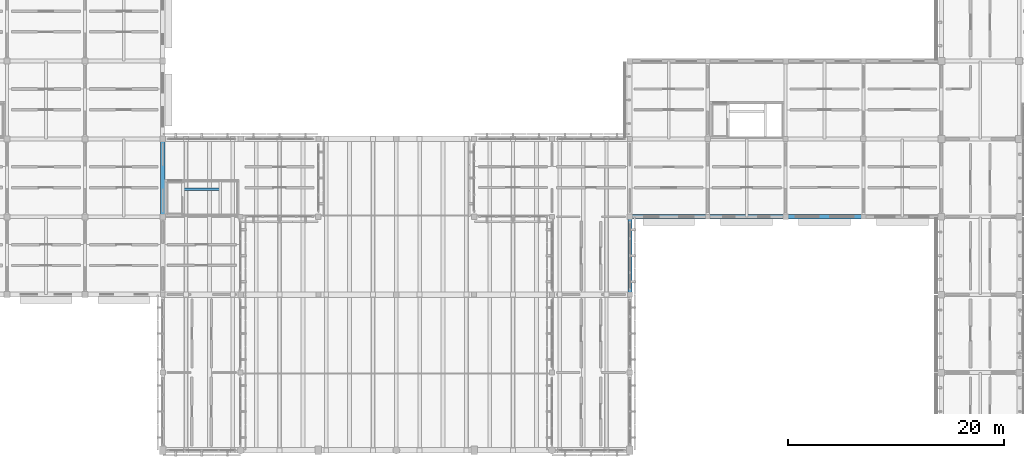
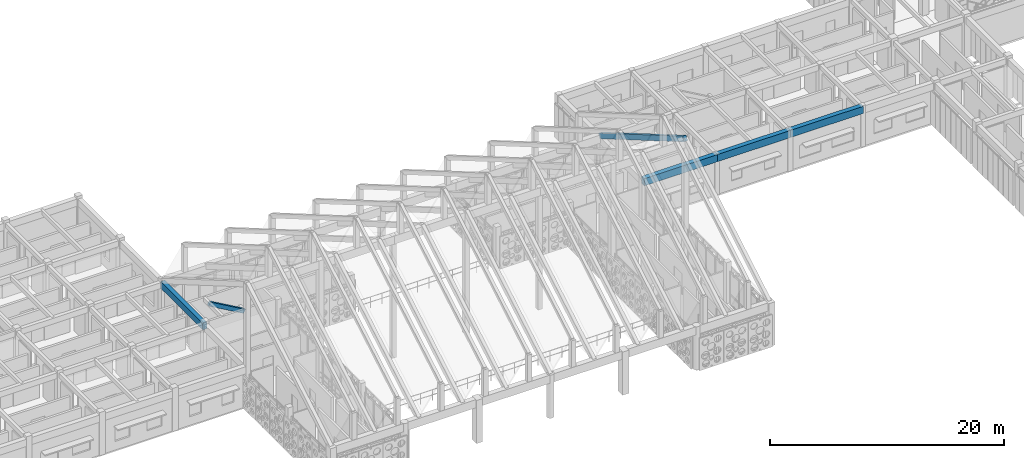
# One storey, part 56 of 171: 6 beams.
"""IFC4 building model written with IfcOpenShell, lengths in metres."""

from ifc_helpers import new_model, si_unit, direction, frame, origin, origin_2d, place, context, subcontext, project, spatial, rectangle, extrude, material, material_profile, profile_set, type_object, element, save


model = new_model("IFC4")

# Units and contexts
model_context = context("Model", 3, precision=1e-05, world=origin(), true_north=direction((0.0, 1.0)))
body_context = subcontext(model_context, "Body", "Model", "MODEL_VIEW")
ifc_project = project(units=[si_unit("LENGTHUNIT", "METRE"), si_unit("AREAUNIT", "SQUARE_METRE"), si_unit("VOLUMEUNIT", "CUBIC_METRE"), si_unit("PLANEANGLEUNIT", "RADIAN"), si_unit("MASSUNIT", "GRAM", prefix="KILO")], contexts=[model_context])

# Site, building, storey
site_placement = place(None, origin())
site = spatial("IfcSite", under=ifc_project, at=site_placement, CompositionType="ELEMENT")
building_placement = place(site_placement, origin())
building = spatial("IfcBuilding", under=site, at=building_placement, Name="Aldebral Square Health Centre", CompositionType="ELEMENT")
storey_placement = place(building_placement, frame((0.0, 0.0, 4.5)))
storey = spatial("IfcBuildingStorey", under=building, at=storey_placement, Name="L01", CompositionType="ELEMENT", Elevation=4.5)

# Beams
ifc_material = material(Name="Concrete C40/50", Category="concrete")
ifc_material_profile_1 = material_profile(ifc_material, rectangle(XDim=0.25, YDim=0.39990234375, at=origin_2d()), Name="RC 250x400")
ifc_profile_set_1 = profile_set([ifc_material_profile_1], Name="Concrete C40/50")
beam_type_1 = type_object("IfcBeamType", Name="BM-B6", PredefinedType="JOIST", material=ifc_profile_set_1)
beam_1_placement = place(storey_placement, frame((70.1201171875, 96.139892578125, 2.050048828125), z_axis=(-0.867791792995, 0.0, 0.496927966622), x_axis=(0.0, -1.0, 0.0)))
element("IfcBeam", 1, at=beam_1_placement, inside=storey, type_object=beam_type_1, Name="L01 WS-S7 flight stringer beam", PredefinedType="JOIST", context=body_context, shape_type="SweptSolid", body=[
    extrude(rectangle(XDim=0.25, YDim=0.39990234375, at=origin_2d()), origin(), (0.0, 0.0, 1.0), 3.96435546875),
])
ifc_material_profile_2 = material_profile(ifc_material, rectangle(XDim=0.449951171875, YDim=0.75, at=origin_2d()), Name="RC 450x750")
ifc_profile_set_2 = profile_set([ifc_material_profile_2], Name="Concrete C40/50")
beam_type_2 = type_object("IfcBeamType", Name="BM-G2", PredefinedType="T_BEAM", material=ifc_profile_set_2)
for number, where, z_axis, x_axis, name in (
    (2, (108.0, 93.60009765625, 3.844970703125), (1.0, 0.0, 0.0), (0.0, 1.0, 0.0), "L01 X-beam 16-17/G14"),
    (3, (115.199951171875, 93.60009765625, 3.844970703125), (1.0, 0.0, 0.0), (0.0, 1.0, 0.0), "L01 X-beam 17-18/G14"),
):
    element("IfcBeam", number, at=place(storey_placement, frame(where, z_axis=z_axis, x_axis=x_axis)), inside=storey, type_object=beam_type_2, Name=name, PredefinedType="T_BEAM", context=body_context, shape_type="SweptSolid", body=[
        extrude(rectangle(XDim=0.449951171875, YDim=0.75, at=origin_2d()), origin(), (0.0, 0.0, 1.0), 7.199951171875),
    ])
beam_2_placement = place(storey_placement, frame((122.39990234375, 93.60009765625, 3.844970703125), z_axis=(1.0, 0.0, 0.0), x_axis=(0.0, 1.0, 0.0)))
element("IfcBeam", 4, at=beam_2_placement, inside=storey, type_object=beam_type_2, Name="L01 X-beam 18-19/G14", PredefinedType="T_BEAM", context=body_context, shape_type="SweptSolid", body=[
    extrude(rectangle(XDim=0.449951171875, YDim=0.75, at=origin_2d()), origin(), (0.0, 0.0, 1.0), 7.2001953125),
])
ifc_material_profile_3 = material_profile(ifc_material, rectangle(XDim=0.39990234375, YDim=0.699951171875, at=origin_2d()), Name="RC 400x700")
ifc_profile_set_3 = profile_set([ifc_material_profile_3], Name="Concrete C40/50")
beam_type_3 = type_object("IfcBeamType", Name="BM-G3", PredefinedType="T_BEAM", material=ifc_profile_set_3)
beam_3_placement = place(storey_placement, frame((64.800048828125, 93.60009765625, 3.8701171875), z_axis=(0.0, 1.0, 0.0), x_axis=(-1.0, 0.0, 0.0)))
element("IfcBeam", 5, at=beam_3_placement, inside=storey, type_object=beam_type_3, Name="L01 Y-beam G10/14-15", PredefinedType="T_BEAM", context=body_context, shape_type="SweptSolid", body=[
    extrude(rectangle(XDim=0.39990234375, YDim=0.699951171875, at=origin_2d()), origin(), (0.0, 0.0, 1.0), 7.199951171875),
])
ifc_material_profile_4 = material_profile(ifc_material, rectangle(XDim=0.35009765625, YDim=0.5, at=origin_2d()), Name="RC 350x500")
ifc_profile_set_4 = profile_set([ifc_material_profile_4], Name="Concrete C40/50")
beam_type_4 = type_object("IfcBeamType", Name="BM-SP1", PredefinedType="SPANDREL", material=ifc_profile_set_4)
beam_4_placement = place(storey_placement, frame((108.0, 86.39990234375, 12.64990234375), z_axis=(0.0, 0.863783681228, -0.503862830584), x_axis=(-1.0, 0.0, 0.0)))
element("IfcBeam", 6, at=beam_4_placement, inside=storey, type_object=beam_type_4, Name="Folded-plate north valley beam 11", PredefinedType="SPANDREL", context=body_context, shape_type="SweptSolid", body=[
    extrude(rectangle(XDim=0.35009765625, YDim=0.5, at=origin_2d()), origin(), (0.0, 0.0, 1.0), 16.6708984375),
])

save(model, "model.ifc")
